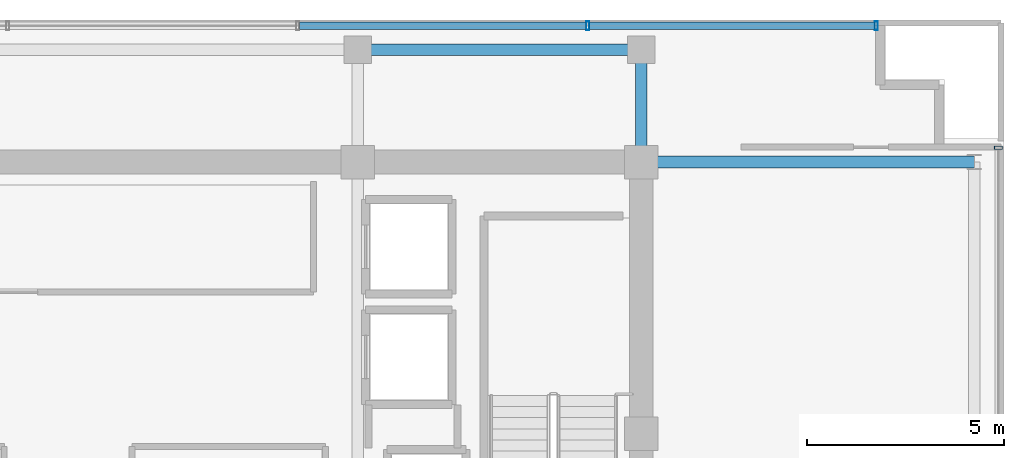
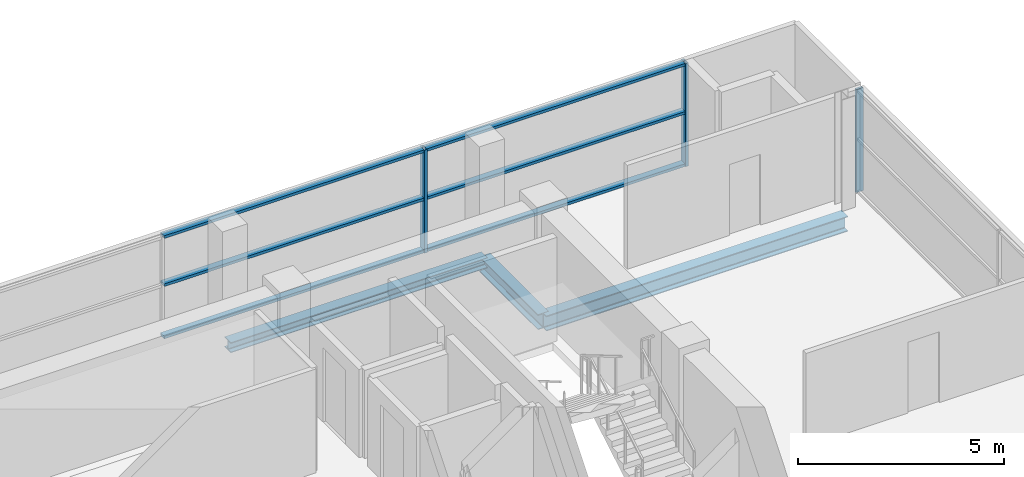
# One storey, part 13 of 21: 9 members, 3 beams, 2 elements without a shape of their own.
"""IFC4 building model written with IfcOpenShell, lengths in metres."""

from ifc_helpers import new_model, si_unit, direction, frame, origin, origin_2d, place, context, subcontext, project, spatial, hollow_rectangle, i_section, extrude, source, transform, mapped, material, layer, layer_set, material_profile, profile_set, type_object, element, aggregate, save


model = new_model("IFC4")

# Units and contexts
model_context = context("Model", 3, precision=1e-05, world=origin(), true_north=direction((0.0, 1.0)))
body_context = subcontext(model_context, "Body", "Model", "MODEL_VIEW")
ifc_project = project(units=[si_unit("LENGTHUNIT", "METRE"), si_unit("AREAUNIT", "SQUARE_METRE"), si_unit("VOLUMEUNIT", "CUBIC_METRE"), si_unit("PLANEANGLEUNIT", "RADIAN"), si_unit("MASSUNIT", "GRAM", prefix="KILO")], contexts=[model_context])

# Site, building, storey
site_placement = place(None, origin())
site = spatial("IfcSite", under=ifc_project, at=site_placement, CompositionType="ELEMENT")
building_placement = place(site_placement, origin())
building = spatial("IfcBuilding", under=site, at=building_placement, Name="Zarnakvel Exchange Tower", CompositionType="ELEMENT")
storey_placement = place(building_placement, frame((0.0, 0.0, 255.10009765625)))
storey = spatial("IfcBuildingStorey", under=building, at=storey_placement, Name="L72", CompositionType="ELEMENT", Elevation=255.10009765625)

# Beams
ifc_material_1 = material(Name="Steel S355", Category="steel")
ifc_material_profile_1 = material_profile(ifc_material_1, i_section(OverallWidth=0.300048828125, OverallDepth=0.449951171875, WebThickness=0.013916015625, FlangeThickness=0.02587890625, FilletRadius=0.027099609375, at=origin_2d()))
ifc_profile_set_1 = profile_set([ifc_material_profile_1], Name="Steel S355")
beam_type_1 = type_object("IfcBeamType", Name="G-07", PredefinedType="BEAM", material=ifc_profile_set_1)
beam_1_placement = place(storey_placement, frame((14.39990234375, 13.5, -0.4501953125), z_axis=(1.0, 0.0, 0.0), x_axis=(0.0, 1.0, 0.0)))
element("IfcBeam", 1, at=beam_1_placement, inside=storey, type_object=beam_type_1, Name="L72 Tower E-W Frame Beam", PredefinedType="BEAM", context=body_context, shape_type="SweptSolid", body=[
    extrude(i_section(OverallWidth=0.300048828125, OverallDepth=0.449951171875, WebThickness=0.013916015625, FlangeThickness=0.02587890625, FilletRadius=0.027099609375, at=origin_2d()), origin(), (0.0, 0.0, 1.0), 8.4501953125),
])
beam_2_placement = place(storey_placement, frame((14.39990234375, 13.5, -0.4501953125), z_axis=(0.0, 1.0, 0.0), x_axis=(-1.0, 0.0, 0.0)))
element("IfcBeam", 2, at=beam_2_placement, inside=storey, type_object=beam_type_1, Name="L72 Tower N-S Frame Beam", PredefinedType="BEAM", context=body_context, shape_type="SweptSolid", body=[
    extrude(i_section(OverallWidth=0.300048828125, OverallDepth=0.449951171875, WebThickness=0.013916015625, FlangeThickness=0.02587890625, FilletRadius=0.027099609375, at=origin_2d()), origin(), (0.0, 0.0, 1.0), 2.85009765625),
])
ifc_material_profile_2 = material_profile(ifc_material_1, i_section(OverallWidth=0.300048828125, OverallDepth=0.300048828125, WebThickness=0.010986328125, FlangeThickness=0.01904296875, FilletRadius=0.027099609375, at=origin_2d()))
ifc_profile_set_2 = profile_set([ifc_material_profile_2], Name="Steel S355")
beam_type_2 = type_object("IfcBeamType", Name="SP-03", PredefinedType="SPANDREL", material=ifc_profile_set_2)
beam_3_placement = place(storey_placement, frame((7.199951171875, 16.35009765625, -0.375), z_axis=(1.0, 0.0, 0.0), x_axis=(0.0, 1.0, 0.0)))
element("IfcBeam", 3, at=beam_3_placement, inside=storey, type_object=beam_type_2, Name="L72 Tower E-W Frame Beam", PredefinedType="SPANDREL", context=body_context, shape_type="SweptSolid", body=[
    extrude(i_section(OverallWidth=0.300048828125, OverallDepth=0.300048828125, WebThickness=0.010986328125, FlangeThickness=0.01904296875, FilletRadius=0.027099609375, at=origin_2d()), origin(), (0.0, 0.0, 1.0), 7.199951171875),
])

# Curtain wall, member
ifc_material_2 = material(Name="Architectural Bronze Anodised Aluminium", Category="aluminium")
ifc_layer_1 = layer(ifc_material_2, 0.199951171875)
ifc_layer_set_1 = layer_set([ifc_layer_1], Name="Architectural Bronze Anodised Aluminium")
curtain_wall_type_1 = type_object("IfcCurtainWallType", Name="CW-04", PredefinedType="NOTDEFINED", material=ifc_layer_set_1)
curtain_wall_1_placement = place(storey_placement, origin())
curtain_wall_1 = element("IfcCurtainWall", 4, at=curtain_wall_1_placement, inside=storey, type_object=curtain_wall_type_1, Name="L72 Curtain Wall CW-L72-E1 (CW-04)", PredefinedType="NOTDEFINED")
ifc_material_profile_3 = material_profile(ifc_material_2, hollow_rectangle(XDim=0.199951171875, YDim=0.074951171875, WallThickness=0.0048828125, at=origin_2d()))
ifc_profile_set_3 = profile_set([ifc_material_profile_3], Name="Architectural Bronze Anodised Aluminium")
member_type_1 = type_object("IfcMemberType", Name="CWM-04", PredefinedType="MULLION", material=ifc_profile_set_3)
shared_shape_1 = source(origin(), body_context, "Body", "SweptSolid", [
    extrude(hollow_rectangle(XDim=0.199951171875, YDim=0.074951171875, WallThickness=0.0048828125, at=origin_2d()), origin(), (0.0, 0.0, 1.0), 3.054931640625),
])
member_1_placement = place(storey_placement, frame((23.4599609375, 13.862548828125, 0.0), z_axis=(0.0, 0.0, 1.0), x_axis=(-1.0, 0.0, 0.0)))
member_1 = element("IfcMember", 5, at=member_1_placement, type_object=member_type_1, Name="CW-04 mullion 5", PredefinedType="MULLION", context=body_context, shape_type="MappedRepresentation", body=[
    mapped(shared_shape_1, transform((0.0, 0.0, 0.0), x_axis=(1.0, 0.0, 0.0), y_axis=(0.0, 1.0, 0.0), z_axis=(0.0, 0.0, 1.0), scale=1.0)),
])
aggregate(curtain_wall_1, [member_1])

# Curtain wall, members
ifc_layer_2 = layer(ifc_material_2, 0.219970703125)
ifc_layer_set_2 = layer_set([ifc_layer_2], Name="Architectural Bronze Anodised Aluminium")
curtain_wall_type_2 = type_object("IfcCurtainWallType", Name="CW-03", PredefinedType="NOTDEFINED", material=ifc_layer_set_2)
curtain_wall_2_placement = place(storey_placement, origin())
curtain_wall_2 = element("IfcCurtainWall", 6, at=curtain_wall_2_placement, inside=storey, type_object=curtain_wall_type_2, Name="L72 Curtain Wall CW-L72-N1 (CW-03)", PredefinedType="NOTDEFINED")
ifc_material_profile_4 = material_profile(ifc_material_2, hollow_rectangle(XDim=0.219970703125, YDim=0.080078125, WallThickness=0.0048828125, at=origin_2d()))
ifc_profile_set_4 = profile_set([ifc_material_profile_4], Name="Architectural Bronze Anodised Aluminium")
member_type_2 = type_object("IfcMemberType", Name="CWM-03", PredefinedType="MULLION", material=ifc_profile_set_4)
shared_shape_2 = source(origin(), body_context, "Body", "SweptSolid", [
    extrude(hollow_rectangle(XDim=0.219970703125, YDim=0.080078125, WallThickness=0.0048828125, at=origin_2d()), origin(), (0.0, 0.0, 1.0), 3.054931640625),
])
member_2_placement = place(storey_placement, frame((13.0400390625, 16.9599609375, 0.0), z_axis=(0.0, 0.0, 1.0), x_axis=(0.0, 1.0, 0.0)))
member_2 = element("IfcMember", 7, at=member_2_placement, type_object=member_type_2, Name="CW-03 mullion 5", PredefinedType="MULLION", context=body_context, shape_type="MappedRepresentation", body=[
    mapped(shared_shape_2, transform((0.0, 0.0, 0.0), x_axis=(1.0, 0.0, 0.0), y_axis=(0.0, 1.0, 0.0), z_axis=(0.0, 0.0, 1.0), scale=1.0)),
])
member_3_placement = place(storey_placement, frame((20.360107421875, 16.9599609375, 0.0), z_axis=(0.0, 0.0, 1.0), x_axis=(0.0, 1.0, 0.0)))
member_3 = element("IfcMember", 8, at=member_3_placement, type_object=member_type_2, Name="CW-03 mullion 6", PredefinedType="MULLION", context=body_context, shape_type="MappedRepresentation", body=[
    mapped(shared_shape_2, transform((0.0, 0.0, 0.0), x_axis=(1.0, 0.0, 0.0), y_axis=(0.0, 1.0, 0.0), z_axis=(0.0, 0.0, 1.0), scale=1.0)),
])
ifc_material_profile_5 = material_profile(ifc_material_2, hollow_rectangle(XDim=0.179931640625, YDim=0.080078125, WallThickness=0.00390625, at=origin_2d()))
ifc_profile_set_5 = profile_set([ifc_material_profile_5], Name="Architectural Bronze Anodised Aluminium")
member_type_3 = type_object("IfcMemberType", Name="CWT-03", PredefinedType="USERDEFINED", material=ifc_profile_set_5)
shared_shape_3 = source(origin(), body_context, "Body", "SweptSolid", [
    extrude(hollow_rectangle(XDim=0.179931640625, YDim=0.080078125, WallThickness=0.00390625, at=origin_2d()), origin(), (0.0, 0.0, 1.0), 7.239990234375),
])
member_4_placement = place(storey_placement, frame((13.080078125, 16.9599609375, 0.039794921875), z_axis=(1.0, 0.0, 0.0), x_axis=(0.0, 1.0, 0.0)))
member_4 = element("IfcMember", 9, at=member_4_placement, type_object=member_type_3, Name="CW-03 transom 5.1", ObjectType="TRANSOM", PredefinedType="USERDEFINED", context=body_context, shape_type="MappedRepresentation", body=[
    mapped(shared_shape_3, transform((0.0, 0.0, 0.0), x_axis=(1.0, 0.0, 0.0), y_axis=(0.0, 1.0, 0.0), z_axis=(0.0, 0.0, 1.0), scale=1.0)),
])
member_5_placement = place(storey_placement, frame((13.080078125, 16.9599609375, 1.588623046875), z_axis=(1.0, 0.0, 0.0), x_axis=(0.0, 1.0, 0.0)))
member_5 = element("IfcMember", 10, at=member_5_placement, type_object=member_type_3, Name="CW-03 transom 5.2", ObjectType="TRANSOM", PredefinedType="USERDEFINED", context=body_context, shape_type="MappedRepresentation", body=[
    mapped(shared_shape_3, transform((0.0, 0.0, 0.0), x_axis=(1.0, 0.0, 0.0), y_axis=(0.0, 1.0, 0.0), z_axis=(0.0, 0.0, 1.0), scale=1.0)),
])
member_6_placement = place(storey_placement, frame((13.080078125, 16.9599609375, 3.014892578125), z_axis=(1.0, 0.0, 0.0), x_axis=(0.0, 1.0, 0.0)))
member_6 = element("IfcMember", 11, at=member_6_placement, type_object=member_type_3, Name="CW-03 transom 5.3", ObjectType="TRANSOM", PredefinedType="USERDEFINED", context=body_context, shape_type="MappedRepresentation", body=[
    mapped(shared_shape_3, transform((0.0, 0.0, 0.0), x_axis=(1.0, 0.0, 0.0), y_axis=(0.0, 1.0, 0.0), z_axis=(0.0, 0.0, 1.0), scale=1.0)),
])
shared_shape_4 = source(origin(), body_context, "Body", "SweptSolid", [
    extrude(hollow_rectangle(XDim=0.179931640625, YDim=0.080078125, WallThickness=0.00390625, at=origin_2d()), origin(), (0.0, 0.0, 1.0), 7.280029296875),
])
member_7_placement = place(storey_placement, frame((5.719970703125, 16.9599609375, 0.039794921875), z_axis=(1.0, 0.0, 0.0), x_axis=(0.0, 1.0, 0.0)))
member_7 = element("IfcMember", 12, at=member_7_placement, type_object=member_type_3, Name="CW-03 transom 4.1", ObjectType="TRANSOM", PredefinedType="USERDEFINED", context=body_context, shape_type="MappedRepresentation", body=[
    mapped(shared_shape_4, transform((0.0, 0.0, 0.0), x_axis=(1.0, 0.0, 0.0), y_axis=(0.0, 1.0, 0.0), z_axis=(0.0, 0.0, 1.0), scale=1.0)),
])
member_8_placement = place(storey_placement, frame((5.719970703125, 16.9599609375, 1.588623046875), z_axis=(1.0, 0.0, 0.0), x_axis=(0.0, 1.0, 0.0)))
member_8 = element("IfcMember", 13, at=member_8_placement, type_object=member_type_3, Name="CW-03 transom 4.2", ObjectType="TRANSOM", PredefinedType="USERDEFINED", context=body_context, shape_type="MappedRepresentation", body=[
    mapped(shared_shape_4, transform((0.0, 0.0, 0.0), x_axis=(1.0, 0.0, 0.0), y_axis=(0.0, 1.0, 0.0), z_axis=(0.0, 0.0, 1.0), scale=1.0)),
])
member_9_placement = place(storey_placement, frame((5.719970703125, 16.9599609375, 3.014892578125), z_axis=(1.0, 0.0, 0.0), x_axis=(0.0, 1.0, 0.0)))
member_9 = element("IfcMember", 14, at=member_9_placement, type_object=member_type_3, Name="CW-03 transom 4.3", ObjectType="TRANSOM", PredefinedType="USERDEFINED", context=body_context, shape_type="MappedRepresentation", body=[
    mapped(shared_shape_4, transform((0.0, 0.0, 0.0), x_axis=(1.0, 0.0, 0.0), y_axis=(0.0, 1.0, 0.0), z_axis=(0.0, 0.0, 1.0), scale=1.0)),
])
aggregate(curtain_wall_2, [member_2, member_3, member_7, member_8, member_9, member_4, member_5, member_6])

save(model, "model.ifc")
